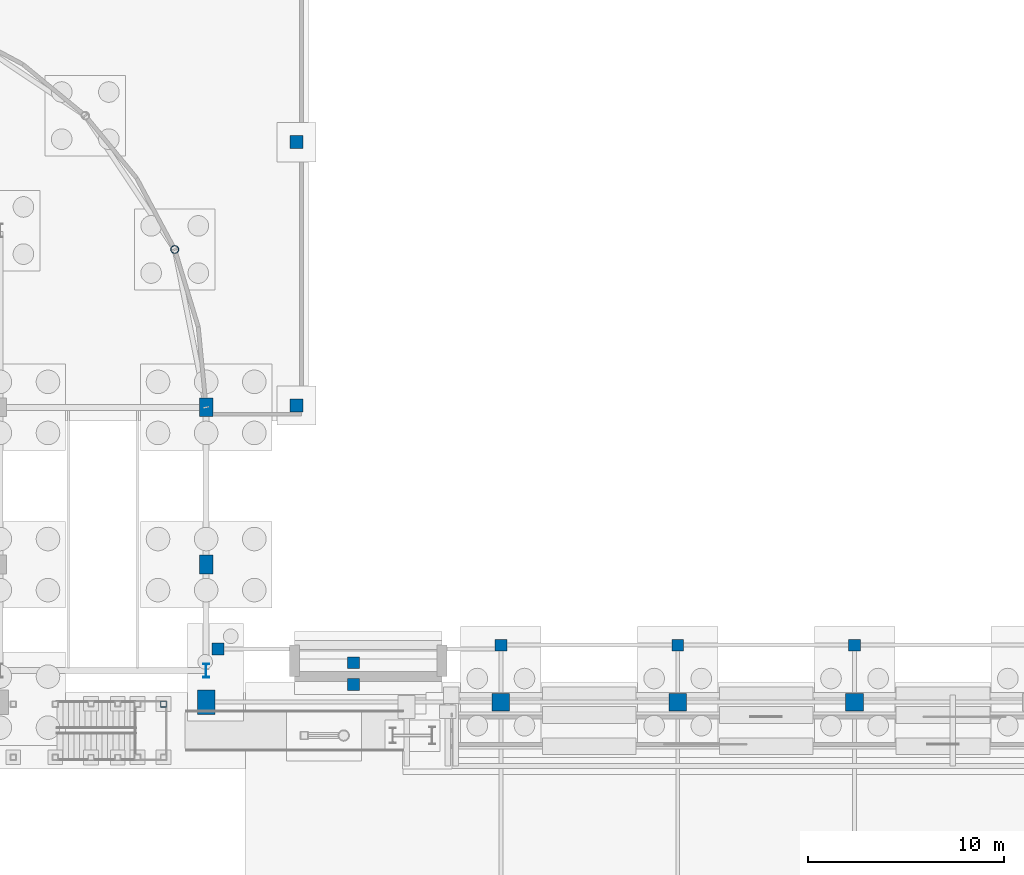
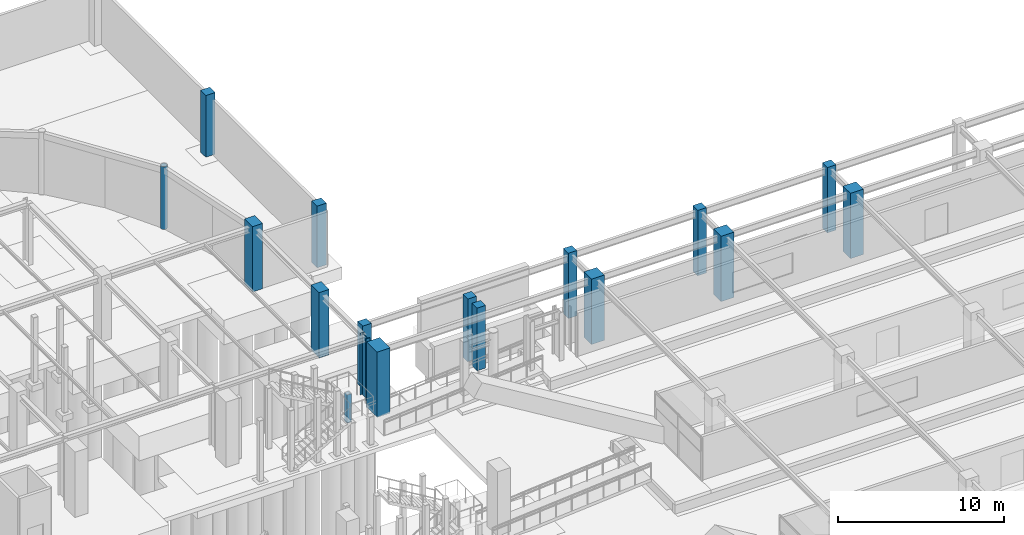
# One storey, part 34 of 160: 17 columns.
"""IFC4 building model written with IfcOpenShell, lengths in metres."""

from ifc_helpers import new_model, si_unit, direction, frame, origin, origin_2d, place, context, subcontext, project, spatial, rectangle, hollow_rectangle, hollow_circle, i_section, extrude, material, material_profile, profile_set, type_object, element, save


model = new_model("IFC4")

# Units and contexts
model_context = context("Model", 3, precision=1e-05, world=origin(), true_north=direction((0.0, 1.0)))
body_context = subcontext(model_context, "Body", "Model", "MODEL_VIEW")
ifc_project = project(units=[si_unit("LENGTHUNIT", "METRE"), si_unit("AREAUNIT", "SQUARE_METRE"), si_unit("VOLUMEUNIT", "CUBIC_METRE"), si_unit("PLANEANGLEUNIT", "RADIAN"), si_unit("MASSUNIT", "GRAM", prefix="KILO")], contexts=[model_context])

# Site, building, storey
site_placement = place(None, origin())
site = spatial("IfcSite", under=ifc_project, at=site_placement, CompositionType="ELEMENT")
building_placement = place(site_placement, origin())
building = spatial("IfcBuilding", under=site, at=building_placement, Name="Marlcrest Central Station", CompositionType="ELEMENT")
storey_placement = place(building_placement, origin())
storey = spatial("IfcBuildingStorey", under=building, at=storey_placement, Name="L00", CompositionType="ELEMENT", Elevation=0.0)

# Columns
ifc_material_1 = material(Name="Concrete C50/60", Category="concrete")
ifc_material_profile_1 = material_profile(ifc_material_1, rectangle(XDim=0.60009765625, YDim=0.60009765625, at=origin_2d()), Name="RC 600x600")
ifc_profile_set_1 = profile_set([ifc_material_profile_1], Name="Concrete C50/60")
column_type_1 = type_object("IfcColumnType", Name="RC-04", PredefinedType="COLUMN", material=ifc_profile_set_1)
for number, where, z_axis, x_axis, name in (
    (1, (144.0, 98.39990234375, 0.0), (0.0, 0.0, 1.0), (1.0, 0.0, 0.0), "col-RC-04-L00-0522"),
    (2, (153.0, 98.39990234375, 0.0), (0.0, 0.0, 1.0), (1.0, 0.0, 0.0), "col-RC-04-L00-0533"),
    (3, (162.0, 98.39990234375, 0.0), (0.0, 0.0, 1.0), (1.0, 0.0, 0.0), "col-RC-04-L00-0544"),
):
    element("IfcColumn", number, at=place(storey_placement, frame(where, z_axis=z_axis, x_axis=x_axis)), inside=storey, type_object=column_type_1, Name=name, PredefinedType="COLUMN", context=body_context, shape_type="SweptSolid", body=[
        extrude(rectangle(XDim=0.60009765625, YDim=0.60009765625, at=origin_2d()), origin(), (0.0, 0.0, 1.0), 4.800048828125),
    ])
for number, where, z_axis, x_axis, name in (
    (4, (136.5, 96.39990234375, 0.0), (0.0, 0.0, 1.0), (1.0, 0.0, 0.0), "col-RC-04-L00-0614"),
    (5, (136.5, 97.5, 0.0), (0.0, 0.0, 1.0), (1.0, 0.0, 0.0), "col-RC-04-L00-0615"),
    (6, (129.60009765625, 98.199951171875, 0.0), (0.0, 0.0, 1.0), (1.0, 0.0, 0.0), "col-RC-04-L00-0616"),
):
    element("IfcColumn", number, at=place(storey_placement, frame(where, z_axis=z_axis, x_axis=x_axis)), inside=storey, type_object=column_type_1, Name=name, PredefinedType="COLUMN", context=body_context, shape_type="SweptSolid", body=[
        extrude(rectangle(XDim=0.60009765625, YDim=0.60009765625, at=origin_2d()), origin(), (0.0, 0.0, 1.0), 4.610107421875),
    ])
ifc_material_profile_2 = material_profile(ifc_material_1, rectangle(XDim=0.64990234375, YDim=0.64990234375, at=origin_2d()), Name="RC 650x650")
ifc_profile_set_2 = profile_set([ifc_material_profile_2], Name="Concrete C50/60")
column_type_2 = type_object("IfcColumnType", Name="RC-05", PredefinedType="COLUMN", material=ifc_profile_set_2)
for number, where, z_axis, x_axis, name in (
    (7, (133.60009765625, 110.60009765625, 0.0), (0.0, 0.0, 1.0), (1.0, 0.0, 0.0), "col-RC-05-L00-0394"),
    (8, (133.60009765625, 124.0, 0.0), (0.0, 0.0, 1.0), (1.0, 0.0, 0.0), "col-RC-05-L00-0395"),
):
    element("IfcColumn", number, at=place(storey_placement, frame(where, z_axis=z_axis, x_axis=x_axis)), inside=storey, type_object=column_type_2, Name=name, PredefinedType="COLUMN", context=body_context, shape_type="SweptSolid", body=[
        extrude(rectangle(XDim=0.64990234375, YDim=0.64990234375, at=origin_2d()), origin(), (0.0, 0.0, 1.0), 4.52490234375),
    ])
ifc_material_profile_3 = material_profile(ifc_material_1, rectangle(XDim=0.89990234375, YDim=0.89990234375, at=origin_2d()), Name="RC 900x900")
ifc_profile_set_3 = profile_set([ifc_material_profile_3], Name="Concrete C50/60")
column_type_3 = type_object("IfcColumnType", Name="RC-08", PredefinedType="COLUMN", material=ifc_profile_set_3)
for number, where, z_axis, x_axis, name in (
    (9, (144.0, 95.5, 0.0), (0.0, 0.0, 1.0), (1.0, 0.0, 0.0), "col-RC-08-L00-0520"),
    (10, (153.0, 95.5, 0.0), (0.0, 0.0, 1.0), (1.0, 0.0, 0.0), "col-RC-08-L00-0531"),
    (11, (162.0, 95.5, 0.0), (0.0, 0.0, 1.0), (1.0, 0.0, 0.0), "col-RC-08-L00-0542"),
):
    element("IfcColumn", number, at=place(storey_placement, frame(where, z_axis=z_axis, x_axis=x_axis)), inside=storey, type_object=column_type_3, Name=name, PredefinedType="COLUMN", context=body_context, shape_type="SweptSolid", body=[
        extrude(rectangle(XDim=0.89990234375, YDim=0.89990234375, at=origin_2d()), origin(), (0.0, 0.0, 1.0), 4.800048828125),
    ])
ifc_material_profile_4 = material_profile(ifc_material_1, rectangle(XDim=0.699951171875, YDim=0.949951171875, at=origin_2d()), Name="RC 700x950")
ifc_profile_set_4 = profile_set([ifc_material_profile_4], Name="Concrete C50/60")
column_type_4 = type_object("IfcColumnType", Name="RC-10", PredefinedType="COLUMN", material=ifc_profile_set_4)
for number, where, z_axis, x_axis, name in (
    (12, (129.0, 102.5, 0.0), (0.0, 0.0, 1.0), (1.0, 0.0, 0.0), "col-RC-10-L00-0759"),
    (13, (129.0, 110.5, 0.0), (0.0, 0.0, 1.0), (1.0, 0.0, 0.0), "col-RC-10-L00-0777"),
):
    element("IfcColumn", number, at=place(storey_placement, frame(where, z_axis=z_axis, x_axis=x_axis)), inside=storey, type_object=column_type_4, Name=name, PredefinedType="COLUMN", context=body_context, shape_type="SweptSolid", body=[
        extrude(rectangle(XDim=0.699951171875, YDim=0.949951171875, at=origin_2d()), origin(), (0.0, 0.0, 1.0), 4.800048828125),
    ])
ifc_material_profile_5 = material_profile(ifc_material_1, rectangle(XDim=0.89990234375, YDim=1.25, at=origin_2d()), Name="RC 900x1250")
ifc_profile_set_5 = profile_set([ifc_material_profile_5], Name="Concrete C50/60")
column_type_5 = type_object("IfcColumnType", Name="RC-12", PredefinedType="COLUMN", material=ifc_profile_set_5)
column_1_placement = place(storey_placement, frame((129.0, 95.5, 0.0), z_axis=(0.0, 0.0, 1.0), x_axis=(1.0, 0.0, 0.0)))
element("IfcColumn", 14, at=column_1_placement, inside=storey, type_object=column_type_5, Name="col-RC-12-L00-0665", PredefinedType="COLUMN", context=body_context, shape_type="SweptSolid", body=[
    extrude(rectangle(XDim=0.89990234375, YDim=1.25, at=origin_2d()), origin(), (0.0, 0.0, 1.0), 4.800048828125),
])
ifc_material_2 = material(Name="Steel S355", Category="steel")
ifc_material_profile_6 = material_profile(ifc_material_2, i_section(OverallWidth=0.300048828125, OverallDepth=0.699951171875, WebThickness=0.01708984375, FlangeThickness=0.031982421875, FilletRadius=0.027099609375, at=origin_2d()), Name="HEB 700")
ifc_profile_set_6 = profile_set([ifc_material_profile_6], Name="Steel S355")
column_type_6 = type_object("IfcColumnType", Name="SC-07", PredefinedType="COLUMN", material=ifc_profile_set_6)
column_2_placement = place(storey_placement, frame((129.0, 97.10009765625, 0.0), z_axis=(0.0, 0.0, 1.0), x_axis=(1.0, 0.0, 0.0)))
element("IfcColumn", 15, at=column_2_placement, inside=storey, type_object=column_type_6, Name="col-SC-07-L00-0896", PredefinedType="COLUMN", context=body_context, shape_type="SweptSolid", body=[
    extrude(i_section(OverallWidth=0.300048828125, OverallDepth=0.699951171875, WebThickness=0.01708984375, FlangeThickness=0.031982421875, FilletRadius=0.027099609375, at=origin_2d()), origin(), (0.0, 0.0, 1.0), 4.52001953125),
])
ifc_material_profile_7 = material_profile(ifc_material_2, hollow_circle(Radius=0.203125, WallThickness=0.02001953125, at=origin_2d()), Name="CHS 406.4x20")
ifc_profile_set_7 = profile_set([ifc_material_profile_7], Name="Steel S355")
column_type_7 = type_object("IfcColumnType", Name="SC-10", PredefinedType="COLUMN", material=ifc_profile_set_7)
column_3_placement = place(storey_placement, frame((127.40087890625, 118.535888671875, 0.0), z_axis=(0.0, 0.0, 1.0), x_axis=(1.0, 0.0, 0.0)))
element("IfcColumn", 16, at=column_3_placement, inside=storey, type_object=column_type_7, Name="col-SC-10-L00-0867", PredefinedType="COLUMN", context=body_context, shape_type="SweptSolid", body=[
    extrude(hollow_circle(Radius=0.203125, WallThickness=0.02001953125, at=origin_2d()), origin(), (0.0, 0.0, 1.0), 4.610107421875),
])
ifc_material_profile_8 = material_profile(ifc_material_2, hollow_rectangle(XDim=0.300048828125, YDim=0.300048828125, WallThickness=0.01611328125, at=origin_2d()), Name="SHS 300x300x16")
ifc_profile_set_8 = profile_set([ifc_material_profile_8], Name="Steel S355")
column_type_8 = type_object("IfcColumnType", Name="SC-19", PredefinedType="COLUMN", material=ifc_profile_set_8)
column_4_placement = place(storey_placement, frame((126.830078125, 95.39990234375, 0.0), z_axis=(0.0, 0.0, 1.0), x_axis=(1.0, 0.0, 0.0)))
element("IfcColumn", 17, at=column_4_placement, inside=storey, type_object=column_type_8, Name="stcol-0029-1268-954", PredefinedType="COLUMN", context=body_context, shape_type="SweptSolid", body=[
    extrude(hollow_rectangle(XDim=0.300048828125, YDim=0.300048828125, WallThickness=0.01611328125, at=origin_2d()), origin(), (0.0, 0.0, 1.0), 2.080078125),
])

save(model, "model.ifc")
